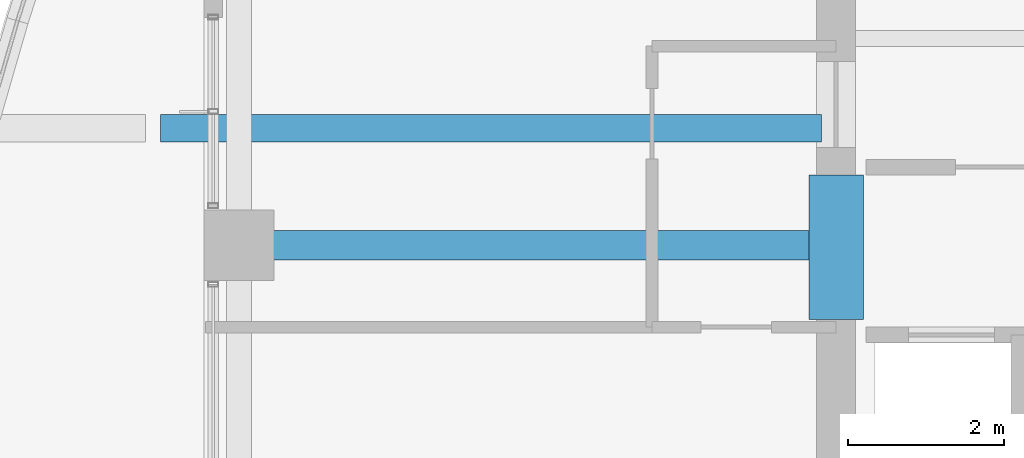
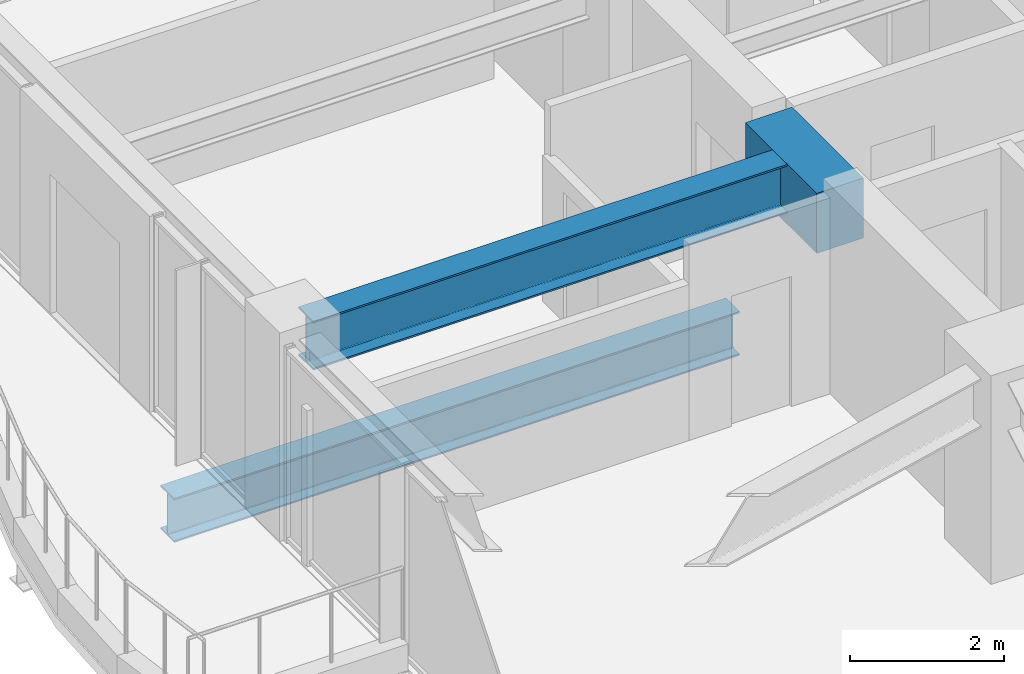
# One storey, part 5 of 33: 3 beams.
"""IFC4 building model written with IfcOpenShell, lengths in metres."""

from ifc_helpers import new_model, si_unit, direction, frame, origin, origin_2d, place, context, subcontext, project, spatial, rectangle, i_section, extrude, material, material_profile, profile_set, type_object, element, save


model = new_model("IFC4")

# Units and contexts
model_context = context("Model", 3, precision=1e-05, world=origin(), true_north=direction((0.0, 1.0)))
body_context = subcontext(model_context, "Body", "Model", "MODEL_VIEW")
ifc_project = project(units=[si_unit("LENGTHUNIT", "METRE"), si_unit("AREAUNIT", "SQUARE_METRE"), si_unit("VOLUMEUNIT", "CUBIC_METRE"), si_unit("PLANEANGLEUNIT", "RADIAN"), si_unit("MASSUNIT", "GRAM", prefix="KILO")], contexts=[model_context])

# Site, building, storey
site_placement = place(None, origin())
site = spatial("IfcSite", under=ifc_project, at=site_placement, CompositionType="ELEMENT")
building_placement = place(site_placement, origin())
building = spatial("IfcBuilding", under=site, at=building_placement, Name="Kolvaren Belvedere", CompositionType="ELEMENT")
storey_placement = place(building_placement, frame((0.0, 0.0, 128.300048828125)))
storey = spatial("IfcBuildingStorey", under=building, at=storey_placement, Name="L37", CompositionType="ELEMENT", Elevation=128.300048828125)

# Beams
ifc_material_1 = material(Name="Structural steel ASTM A992 Grade 50", Category="steel")
ifc_material_profile_1 = material_profile(ifc_material_1, i_section(OverallWidth=0.35498046875, OverallDepth=0.696044921875, WebThickness=0.015380859375, FlangeThickness=0.02490234375, FilletRadius=0.02197265625, at=origin_2d()), Name="W27X146")
ifc_profile_set_1 = profile_set([ifc_material_profile_1], Name="Structural steel ASTM A992 Grade 50")
beam_type_1 = type_object("IfcBeamType", Name="BM-GIRD-W27X146", PredefinedType="BEAM", material=ifc_profile_set_1)
beam_1_placement = place(storey_placement, frame((-10.090087890625, -3.10009765625, -0.548095703125), z_axis=(-1.0, 0.0, 0.0), x_axis=(0.0, -1.0, 0.0)))
element("IfcBeam", 1, at=beam_1_placement, inside=storey, type_object=beam_type_1, Name="L37 Balcony Interior Back-Span Girder BAL-W-1", PredefinedType="BEAM", context=body_context, shape_type="SweptSolid", body=[
    extrude(i_section(OverallWidth=0.35498046875, OverallDepth=0.696044921875, WebThickness=0.015380859375, FlangeThickness=0.02490234375, FilletRadius=0.02197265625, at=origin_2d()), origin(), (0.0, 0.0, 1.0), 8.46484375),
])
ifc_material_2 = material(Name="Structural steel ASTM A992 Grade 50", Category="steel")
ifc_material_profile_2 = material_profile(ifc_material_2, i_section(OverallWidth=0.381103515625, OverallDepth=0.77294921875, WebThickness=0.0166015625, FlangeThickness=0.027099609375, FilletRadius=0.02392578125, at=origin_2d()), Name="W30X173")
ifc_profile_set_2 = profile_set([ifc_material_profile_2], Name="Structural steel ASTM A992 Grade 50")
beam_type_2 = type_object("IfcBeamType", Name="BM-GIRD-W30X173", PredefinedType="BEAM", material=ifc_profile_set_2)
beam_2_placement = place(storey_placement, frame((-10.14990234375, -4.60009765625, 2.71337890625), z_axis=(-1.0, 0.0, 0.0), x_axis=(0.0, -1.0, 0.0)))
element("IfcBeam", 2, at=beam_2_placement, inside=storey, type_object=beam_type_2, Name="L37 West Radial Girder M", PredefinedType="BEAM", context=body_context, shape_type="SweptSolid", body=[
    extrude(i_section(OverallWidth=0.381103515625, OverallDepth=0.77294921875, WebThickness=0.0166015625, FlangeThickness=0.027099609375, FilletRadius=0.02392578125, at=origin_2d()), origin(), (0.0, 0.0, 1.0), 7.197509765625),
])
ifc_material_3 = material(Name="Concrete C60/75", Category="concrete")
ifc_material_profile_3 = material_profile(ifc_material_3, rectangle(XDim=0.699951171875, YDim=0.949951171875, at=origin_2d()), Name="RC 700X950")
ifc_profile_set_3 = profile_set([ifc_material_profile_3], Name="Concrete C60/75")
beam_type_3 = type_object("IfcBeamType", Name="BM-LINT-950", PredefinedType="LINTEL", material=ifc_profile_set_3)
beam_3_placement = place(storey_placement, frame((-9.89990234375, -5.550048828125, 2.625), z_axis=(0.0, 1.0, 0.0), x_axis=(-1.0, 0.0, 0.0)))
element("IfcBeam", 3, at=beam_3_placement, inside=storey, type_object=beam_type_3, Name="L37 West Core Coupling Lintel", PredefinedType="LINTEL", context=body_context, shape_type="SweptSolid", body=[
    extrude(rectangle(XDim=0.699951171875, YDim=0.949951171875, at=origin_2d()), origin(), (0.0, 0.0, 1.0), 1.85009765625),
])

save(model, "model.ifc")
